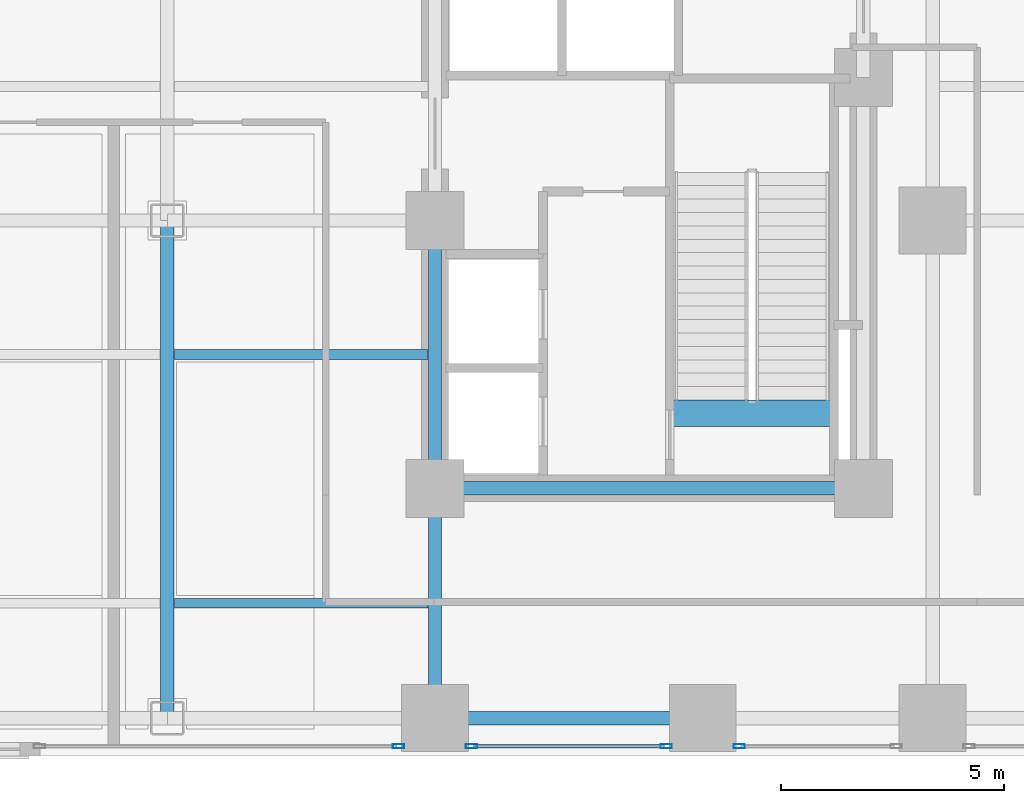
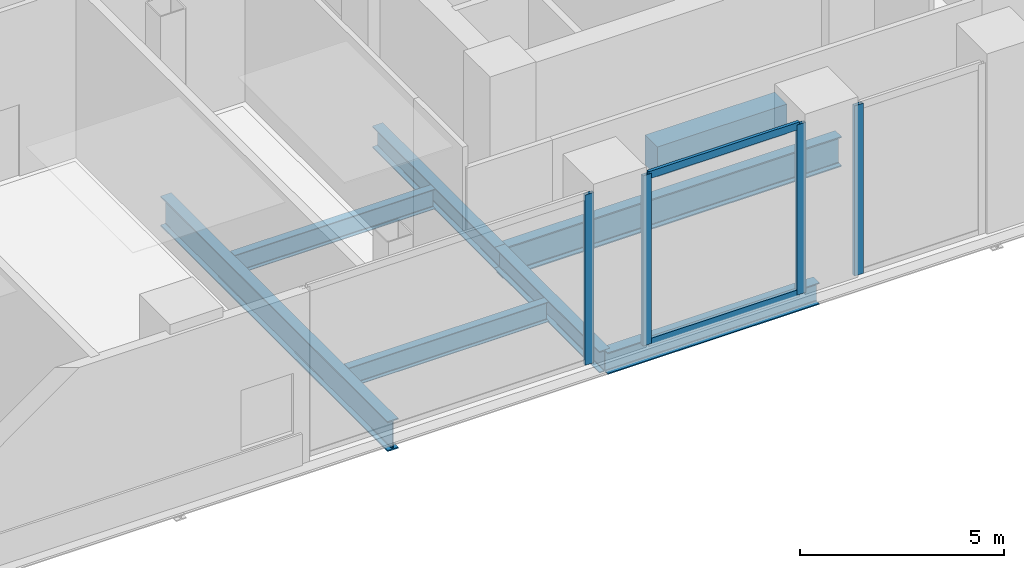
# One storey, part 5 of 28: 8 beams, 6 members, 3 elements without a shape of their own.
"""IFC4 building model written with IfcOpenShell, lengths in metres."""

from ifc_helpers import new_model, si_unit, direction, frame, origin, origin_2d, place, context, subcontext, project, spatial, rectangle, hollow_rectangle, i_section, extrude, material, layer, layer_set, material_profile, profile_set, type_object, element, aggregate, save


model = new_model("IFC4")

# Units and contexts
model_context = context("Model", 3, precision=1e-05, world=origin(), true_north=direction((0.0, 1.0)))
body_context = subcontext(model_context, "Body", "Model", "MODEL_VIEW")
ifc_project = project(units=[si_unit("LENGTHUNIT", "METRE"), si_unit("AREAUNIT", "SQUARE_METRE"), si_unit("VOLUMEUNIT", "CUBIC_METRE"), si_unit("PLANEANGLEUNIT", "RADIAN"), si_unit("MASSUNIT", "GRAM", prefix="KILO"), si_unit("THERMODYNAMICTEMPERATUREUNIT", "KELVIN"), si_unit("POWERUNIT", "WATT")], contexts=[model_context])

# Site, building, storey
site_placement = place(None, origin())
site = spatial("IfcSite", under=ifc_project, at=site_placement, CompositionType="ELEMENT")
building_placement = place(site_placement, origin())
building = spatial("IfcBuilding", under=site, at=building_placement, Name="Svarakhadi Broadcast Tower", CompositionType="ELEMENT")
storey_placement = place(building_placement, frame((0.0, 0.0, 11.10009765625)))
storey = spatial("IfcBuildingStorey", under=building, at=storey_placement, Name="L02", CompositionType="ELEMENT", Elevation=11.10009765625)

# Beams
ifc_material_1 = material(Name="Steel S355J2 (IS 2062 E350C)", Category="steel")
ifc_material_profile_1 = material_profile(ifc_material_1, i_section(OverallWidth=0.219970703125, OverallDepth=0.60009765625, WebThickness=0.011962890625, FlangeThickness=0.01904296875, FilletRadius=0.02392578125, at=origin_2d()), Name="NPB 600x220x122")
ifc_profile_set_1 = profile_set([ifc_material_profile_1], Name="Steel S355J2 (IS 2062 E350C)")
beam_type_1 = type_object("IfcBeamType", Name="Beam_NPB600", PredefinedType="BEAM", material=ifc_profile_set_1)
for number, where, z_axis, x_axis, name in (
    (1, (18.159912109375, 3.425048828125, -0.5751953125), (1.0, 0.0, 0.0), (0.0, 1.0, 0.0), "L02 Secondary Composite Beam SB013"),
    (2, (18.159912109375, 9.0, -0.5751953125), (1.0, 0.0, 0.0), (0.0, 1.0, 0.0), "L02 Secondary Composite Beam SB014"),
):
    element("IfcBeam", number, at=place(storey_placement, frame(where, z_axis=z_axis, x_axis=x_axis)), inside=storey, type_object=beam_type_1, Name=name, PredefinedType="BEAM", context=body_context, shape_type="SweptSolid", body=[
        extrude(i_section(OverallWidth=0.219970703125, OverallDepth=0.60009765625, WebThickness=0.011962890625, FlangeThickness=0.01904296875, FilletRadius=0.02392578125, at=origin_2d()), origin(), (0.0, 0.0, 1.0), 5.68017578125),
    ])

# Curtain wall, member
ifc_material_2 = material(Name="Anodised Bronze Aluminium AA 6063-T6", Category="aluminium")
ifc_layer = layer(ifc_material_2, 0.25)
ifc_layer_set = layer_set([ifc_layer], Name="Anodised Bronze Aluminium AA 6063-T6")
curtain_wall_type = type_object("IfcCurtainWallType", Name="CW_Sys_01", PredefinedType="NOTDEFINED", material=ifc_layer_set)
curtain_wall_1_placement = place(storey_placement, origin())
curtain_wall_1 = element("IfcCurtainWall", 3, at=curtain_wall_1_placement, inside=storey, type_object=curtain_wall_type, Name="L02 South Curtain Wall 11 Bay 3", PredefinedType="NOTDEFINED")
ifc_material_profile_2 = material_profile(ifc_material_2, hollow_rectangle(XDim=0.094970703125, YDim=0.25, WallThickness=0.006103515625, at=origin_2d()), Name="ALU MULLION 250x95x6")
ifc_profile_set_2 = profile_set([ifc_material_profile_2], Name="Anodised Bronze Aluminium AA 6063-T6")
member_type_1 = type_object("IfcMemberType", Name="CW_Sys_01_Mul", PredefinedType="MULLION", material=ifc_profile_set_2)
member_1_placement = place(storey_placement, frame((30.8173828125, 0.219970703125, 0.0), z_axis=(0.0, 0.0, 1.0), x_axis=(0.0, -1.0, 0.0)))
member_1 = element("IfcMember", 4, at=member_1_placement, type_object=member_type_1, Name="CW-01 mullion 2", PredefinedType="MULLION", context=body_context, shape_type="SweptSolid", body=[
    extrude(hollow_rectangle(XDim=0.094970703125, YDim=0.25, WallThickness=0.006103515625, at=origin_2d()), origin(), (0.0, 0.0, 1.0), 5.099853515625),
])
aggregate(curtain_wall_1, [member_1])

# Curtain wall, members
curtain_wall_2_placement = place(storey_placement, origin())
curtain_wall_2 = element("IfcCurtainWall", 5, at=curtain_wall_2_placement, inside=storey, type_object=curtain_wall_type, Name="L02 South Curtain Wall 11 Bay 4", PredefinedType="NOTDEFINED")
member_2_placement = place(storey_placement, frame((29.1826171875, 0.219970703125, 0.0), z_axis=(0.0, 0.0, 1.0), x_axis=(0.0, -1.0, 0.0)))
member_2 = element("IfcMember", 6, at=member_2_placement, type_object=member_type_1, Name="CW-01 mullion 1", PredefinedType="MULLION", context=body_context, shape_type="SweptSolid", body=[
    extrude(hollow_rectangle(XDim=0.094970703125, YDim=0.25, WallThickness=0.006103515625, at=origin_2d()), origin(), (0.0, 0.0, 1.0), 5.099853515625),
])
member_3_placement = place(storey_placement, frame((24.8173828125, 0.219970703125, 0.0), z_axis=(0.0, 0.0, 1.0), x_axis=(0.0, -1.0, 0.0)))
member_3 = element("IfcMember", 7, at=member_3_placement, type_object=member_type_1, Name="CW-01 mullion 2", PredefinedType="MULLION", context=body_context, shape_type="SweptSolid", body=[
    extrude(hollow_rectangle(XDim=0.094970703125, YDim=0.25, WallThickness=0.006103515625, at=origin_2d()), origin(), (0.0, 0.0, 1.0), 5.099853515625),
])

# Curtain wall, member
curtain_wall_3_placement = place(storey_placement, origin())
curtain_wall_3 = element("IfcCurtainWall", 8, at=curtain_wall_3_placement, inside=storey, type_object=curtain_wall_type, Name="L02 South Curtain Wall 11 Bay 5", PredefinedType="NOTDEFINED")
member_4_placement = place(storey_placement, frame((23.1826171875, 0.219970703125, 0.0), z_axis=(0.0, 0.0, 1.0), x_axis=(0.0, -1.0, 0.0)))
member_4 = element("IfcMember", 9, at=member_4_placement, type_object=member_type_1, Name="CW-01 mullion 1", PredefinedType="MULLION", context=body_context, shape_type="SweptSolid", body=[
    extrude(hollow_rectangle(XDim=0.094970703125, YDim=0.25, WallThickness=0.006103515625, at=origin_2d()), origin(), (0.0, 0.0, 1.0), 5.099853515625),
])
aggregate(curtain_wall_3, [member_4])

# Member
ifc_material_profile_3 = material_profile(ifc_material_2, hollow_rectangle(XDim=0.0849609375, YDim=0.219970703125, WallThickness=0.0048828125, at=origin_2d()), Name="ALU TRANSOM 220x85x5")
ifc_profile_set_3 = profile_set([ifc_material_profile_3], Name="Anodised Bronze Aluminium AA 6063-T6")
member_type_2 = type_object("IfcMemberType", Name="CW_Sys_01_Trn", PredefinedType="USERDEFINED", material=ifc_profile_set_3)
member_5_placement = place(storey_placement, frame((29.135009765625, 0.219970703125, 0.04248046875), z_axis=(-1.0, 0.0, 0.0), x_axis=(0.0, -1.0, 0.0)))
member_5 = element("IfcMember", 10, at=member_5_placement, type_object=member_type_2, Name="CW-01 transom 1.1", ObjectType="TRANSOM", PredefinedType="USERDEFINED", context=body_context, shape_type="SweptSolid", body=[
    extrude(hollow_rectangle(XDim=0.0849609375, YDim=0.219970703125, WallThickness=0.0048828125, at=origin_2d()), origin(), (0.0, 0.0, 1.0), 4.27001953125),
])

member_6_placement = place(storey_placement, frame((29.135009765625, 0.219970703125, 5.057373046875), z_axis=(-1.0, 0.0, 0.0), x_axis=(0.0, -1.0, 0.0)))
member_6 = element("IfcMember", 11, at=member_6_placement, type_object=member_type_2, Name="CW-01 transom 1.2", ObjectType="TRANSOM", PredefinedType="USERDEFINED", context=body_context, shape_type="SweptSolid", body=[
    extrude(hollow_rectangle(XDim=0.0849609375, YDim=0.219970703125, WallThickness=0.0048828125, at=origin_2d()), origin(), (0.0, 0.0, 1.0), 4.27001953125),
])

aggregate(curtain_wall_2, [member_2, member_3, member_5, member_6])

# Beams
ifc_material_3 = material(Name="Concrete C50/60 (IS 456 M60)", Category="concrete")
ifc_material_profile_4 = material_profile(ifc_material_3, rectangle(XDim=0.60009765625, YDim=0.89990234375, at=origin_2d()), Name="RC 600x900")
ifc_profile_set_4 = profile_set([ifc_material_profile_4], Name="Concrete C50/60 (IS 456 M60)")
beam_type_2 = type_object("IfcBeamType", Name="Coupling_RC600", PredefinedType="USERDEFINED", material=ifc_profile_set_4)
beam_1_placement = place(storey_placement, frame((29.260009765625, 7.679931640625, -0.4501953125), z_axis=(1.0, 0.0, 0.0), x_axis=(0.0, 1.0, 0.0)))
element("IfcBeam", 12, at=beam_1_placement, inside=storey, type_object=beam_type_2, Name="L02 Stair ST-02 Landing Throat Trimmer Beam CB-01", ObjectType="GIRDER", PredefinedType="USERDEFINED", context=body_context, shape_type="SweptSolid", body=[
    extrude(rectangle(XDim=0.60009765625, YDim=0.89990234375, at=origin_2d()), origin(), (0.0, 0.0, 1.0), 3.679931640625),
])
ifc_material_profile_5 = material_profile(ifc_material_1, i_section(OverallWidth=0.300048828125, OverallDepth=0.64990234375, WebThickness=0.01611328125, FlangeThickness=0.031005859375, FilletRadius=0.027099609375, at=origin_2d()), Name="WPB 650x300x225")
ifc_profile_set_5 = profile_set([ifc_material_profile_5], Name="Steel S355J2 (IS 2062 E350C)")
beam_type_3 = type_object("IfcBeamType", Name="Girder_WPB650", PredefinedType="USERDEFINED", material=ifc_profile_set_5)
beam_2_placement = place(storey_placement, frame((24.0, 0.85009765625, -0.60009765625), z_axis=(1.0, 0.0, 0.0), x_axis=(0.0, 1.0, 0.0)))
element("IfcBeam", 13, at=beam_2_placement, inside=storey, type_object=beam_type_3, Name="L02 Primary E-W Girder G007", ObjectType="GIRDER", PredefinedType="USERDEFINED", context=body_context, shape_type="SweptSolid", body=[
    extrude(i_section(OverallWidth=0.300048828125, OverallDepth=0.64990234375, WebThickness=0.01611328125, FlangeThickness=0.031005859375, FilletRadius=0.027099609375, at=origin_2d()), origin(), (0.0, 0.0, 1.0), 6.0),
])
beam_3_placement = place(storey_placement, frame((24.0, 0.85009765625, -0.60009765625), z_axis=(0.0, 1.0, 0.0), x_axis=(-1.0, 0.0, 0.0)))
element("IfcBeam", 14, at=beam_3_placement, inside=storey, type_object=beam_type_3, Name="L02 Primary N-S Girder G064", ObjectType="GIRDER", PredefinedType="USERDEFINED", context=body_context, shape_type="SweptSolid", body=[
    extrude(i_section(OverallWidth=0.300048828125, OverallDepth=0.64990234375, WebThickness=0.01611328125, FlangeThickness=0.031005859375, FilletRadius=0.027099609375, at=origin_2d()), origin(), (0.0, 0.0, 1.0), 5.14990234375),
])
beam_4_placement = place(storey_placement, frame((24.0, 6.0, -0.60009765625), z_axis=(0.0, 1.0, 0.0), x_axis=(-1.0, 0.0, 0.0)))
element("IfcBeam", 15, at=beam_4_placement, inside=storey, type_object=beam_type_3, Name="L02 Primary N-S Girder G065", ObjectType="GIRDER", PredefinedType="USERDEFINED", context=body_context, shape_type="SweptSolid", body=[
    extrude(i_section(OverallWidth=0.300048828125, OverallDepth=0.64990234375, WebThickness=0.01611328125, FlangeThickness=0.031005859375, FilletRadius=0.027099609375, at=origin_2d()), origin(), (0.0, 0.0, 1.0), 6.0),
])
ifc_material_4 = material(Name="Steel S460ML (IS 2062 E450BR)", Category="steel")
ifc_material_profile_6 = material_profile(ifc_material_4, i_section(OverallWidth=0.300048828125, OverallDepth=0.89990234375, WebThickness=0.0185546875, FlangeThickness=0.034912109375, FilletRadius=0.030029296875, at=origin_2d()), Name="WPB 900x300x291")
ifc_profile_set_6 = profile_set([ifc_material_profile_6], Name="Steel S460ML (IS 2062 E450BR)")
beam_type_4 = type_object("IfcBeamType", Name="Girder_WPB900", PredefinedType="USERDEFINED", material=ifc_profile_set_6)
beam_5_placement = place(storey_placement, frame((24.0, 6.0, -0.72509765625), z_axis=(1.0, 0.0, 0.0), x_axis=(0.0, 1.0, 0.0)))
element("IfcBeam", 16, at=beam_5_placement, inside=storey, type_object=beam_type_4, Name="L02 Primary E-W Girder G013", ObjectType="GIRDER", PredefinedType="USERDEFINED", context=body_context, shape_type="SweptSolid", body=[
    extrude(i_section(OverallWidth=0.300048828125, OverallDepth=0.89990234375, WebThickness=0.0185546875, FlangeThickness=0.034912109375, FilletRadius=0.030029296875, at=origin_2d()), origin(), (0.0, 0.0, 1.0), 9.60009765625),
])
beam_6_placement = place(storey_placement, frame((18.0, 0.85009765625, -0.72509765625), z_axis=(0.0, 1.0, 0.0), x_axis=(-1.0, 0.0, 0.0)))
element("IfcBeam", 17, at=beam_6_placement, inside=storey, type_object=beam_type_4, Name="L02 Primary N-S Girder G059", ObjectType="GIRDER", PredefinedType="USERDEFINED", context=body_context, shape_type="SweptSolid", body=[
    extrude(i_section(OverallWidth=0.300048828125, OverallDepth=0.89990234375, WebThickness=0.0185546875, FlangeThickness=0.034912109375, FilletRadius=0.030029296875, at=origin_2d()), origin(), (0.0, 0.0, 1.0), 11.14990234375),
])

save(model, "model.ifc")
